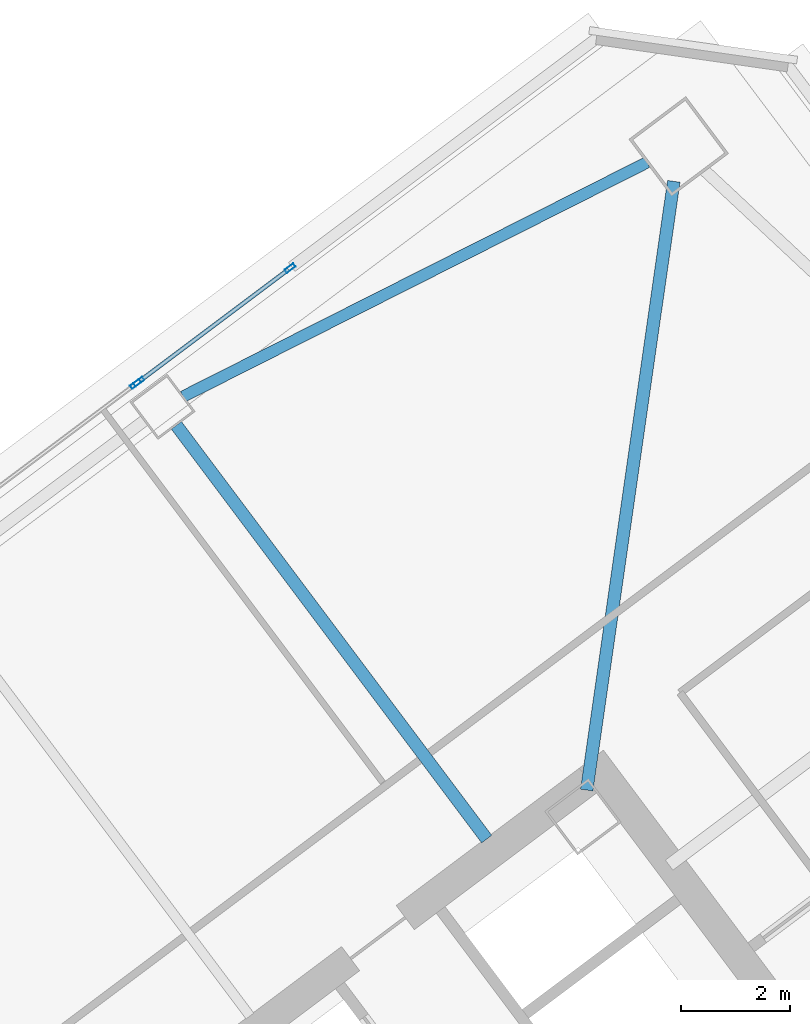
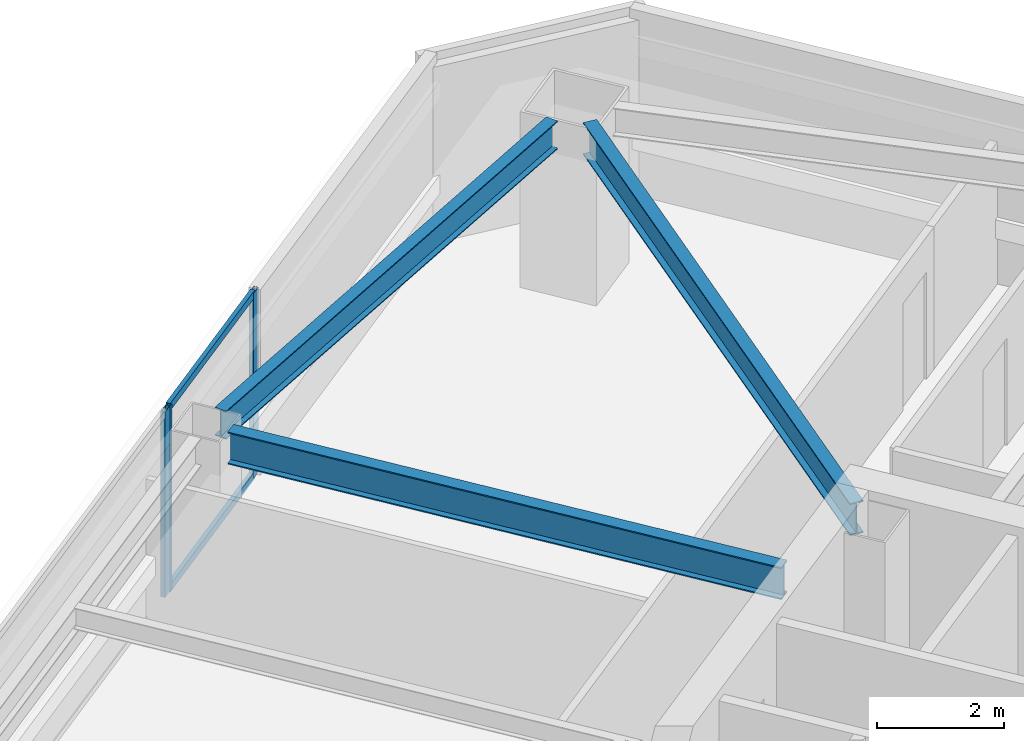
# One storey, part 26 of 40: 5 members, 3 beams, 2 elements without a shape of their own.
"""IFC4 building model written with IfcOpenShell, lengths in metres."""

from ifc_helpers import new_model, si_unit, direction, frame, origin, origin_2d, place, context, subcontext, project, spatial, hollow_rectangle, i_section, extrude, material, material_profile, profile_set, type_object, element, aggregate, save


model = new_model("IFC4")

# Units and contexts
model_context = context("Model", 3, precision=1e-05, world=origin(), true_north=direction((0.0, 1.0)))
body_context = subcontext(model_context, "Body", "Model", "MODEL_VIEW")
ifc_project = project(units=[si_unit("LENGTHUNIT", "METRE"), si_unit("AREAUNIT", "SQUARE_METRE"), si_unit("VOLUMEUNIT", "CUBIC_METRE"), si_unit("PLANEANGLEUNIT", "RADIAN"), si_unit("MASSUNIT", "GRAM", prefix="KILO")], contexts=[model_context])

# Site, building, storey
site_placement = place(None, origin())
site = spatial("IfcSite", under=ifc_project, at=site_placement, CompositionType="ELEMENT")
building_placement = place(site_placement, origin())
building = spatial("IfcBuilding", under=site, at=building_placement, Name="Tashvorn Skyway Center", CompositionType="ELEMENT")
storey_placement = place(building_placement, frame((0.0, 0.0, 142.800048828125)))
storey = spatial("IfcBuildingStorey", under=building, at=storey_placement, Name="L38", CompositionType="ELEMENT", Elevation=142.800048828125)

# Beams
ifc_material_1 = material(Name="Steel ASTM A992 Grade 50", Category="steel")
ifc_material_profile_1 = material_profile(ifc_material_1, i_section(OverallWidth=0.22998046875, OverallDepth=0.616943359375, WebThickness=0.01318359375, FlangeThickness=0.022216796875, at=origin_2d()), Name="W24X94")
ifc_profile_set_1 = profile_set([ifc_material_profile_1], Name="Steel ASTM A992 Grade 50")
beam_type_1 = type_object("IfcBeamType", Name="BM-BEAM-W24X94", PredefinedType="BEAM", material=ifc_profile_set_1)
beam_1_placement = place(storey_placement, frame((117.06884765625, 53.4814453125, 3.0615234375), z_axis=(-0.141430483583, -0.989948189712, 0.0), x_axis=(0.989948189712, -0.141430483583, 0.0)))
element("IfcBeam", 1, at=beam_1_placement, inside=storey, type_object=beam_type_1, Name="Tower 2 L38 Primary Floor Girder MC-NE", PredefinedType="BEAM", context=body_context, shape_type="SweptSolid", body=[
    extrude(i_section(OverallWidth=0.22998046875, OverallDepth=0.616943359375, WebThickness=0.01318359375, FlangeThickness=0.022216796875, at=origin_2d()), origin(), (0.0, 0.0, 1.0), 11.234375),
])
beam_2_placement = place(storey_placement, frame((107.98193359375, 49.02392578125, 3.0615234375), z_axis=(0.600020667896, -0.799984498661, 0.0), x_axis=(0.799984498661, 0.600020667896, 0.0)))
element("IfcBeam", 2, at=beam_2_placement, inside=storey, type_object=beam_type_1, Name="Tower 2 L38 Primary Floor Girder FC-N1", PredefinedType="BEAM", context=body_context, shape_type="SweptSolid", body=[
    extrude(i_section(OverallWidth=0.22998046875, OverallDepth=0.616943359375, WebThickness=0.01318359375, FlangeThickness=0.022216796875, at=origin_2d()), origin(), (0.0, 0.0, 1.0), 9.449951171875),
])
ifc_material_profile_2 = material_profile(ifc_material_1, i_section(OverallWidth=0.2109375, OverallDepth=0.5390625, WebThickness=0.01171875, FlangeThickness=0.018798828125, at=origin_2d()), Name="W21X73")
ifc_profile_set_2 = profile_set([ifc_material_profile_2], Name="Steel ASTM A992 Grade 50")
beam_type_2 = type_object("IfcBeamType", Name="BM-SPANDREL-W21X73", PredefinedType="SPANDREL", material=ifc_profile_set_2)
beam_3_placement = place(storey_placement, frame((116.584228515625, 53.829345703125, 3.100341796875), z_axis=(-0.892719124217, -0.450613543136, 0.0), x_axis=(0.450613543136, -0.892719124217, 0.0)))
element("IfcBeam", 3, at=beam_3_placement, inside=storey, type_object=beam_type_2, Name="Tower 2 L38 Spandrel Beam 07", PredefinedType="SPANDREL", context=body_context, shape_type="SweptSolid", body=[
    extrude(i_section(OverallWidth=0.2109375, OverallDepth=0.5390625, WebThickness=0.01171875, FlangeThickness=0.018798828125, at=origin_2d()), origin(), (0.0, 0.0, 1.0), 9.498291015625),
])

# Curtain wall, member
ifc_material_2 = material(Name="Thermally broken bronze-anodized aluminium 6063-T6", Category="aluminium")
curtain_wall_type = type_object("IfcCurtainWallType", Name="CW-CW-Z3", PredefinedType="NOTDEFINED", material=ifc_material_2)
curtain_wall_1_placement = place(storey_placement, origin())
curtain_wall_1 = element("IfcCurtainWall", 4, at=curtain_wall_1_placement, inside=storey, type_object=curtain_wall_type, Name="Tower 2 L38 North Unitised Curtain Wall Glazing Group 2", PredefinedType="NOTDEFINED")
ifc_material_profile_3 = material_profile(ifc_material_2, hollow_rectangle(XDim=0.074951171875, YDim=0.199951171875, WallThickness=0.00439453125, at=origin_2d()), Name="ALU-MULL-75x200")
ifc_profile_set_3 = profile_set([ifc_material_profile_3], Name="Thermally broken bronze-anodized aluminium 6063-T6")
member_type_1 = type_object("IfcMemberType", Name="CWM-CW-Z3", PredefinedType="MULLION", material=ifc_profile_set_3)
member_1_placement = place(storey_placement, frame((107.23681640625, 49.777587890625, 0.0), z_axis=(0.0, 0.0, 1.0), x_axis=(-0.599996977339, 0.800002266987, 0.0)))
member_1 = element("IfcMember", 5, at=member_1_placement, type_object=member_type_1, Name="CW-Z3 mullion 2", PredefinedType="MULLION", context=body_context, shape_type="SweptSolid", body=[
    extrude(hollow_rectangle(XDim=0.074951171875, YDim=0.199951171875, WallThickness=0.00439453125, at=origin_2d()), origin(), (0.0, 0.0, 1.0), 3.550048828125),
])
aggregate(curtain_wall_1, [member_1])

# Curtain wall, members
curtain_wall_2_placement = place(storey_placement, origin())
curtain_wall_2 = element("IfcCurtainWall", 6, at=curtain_wall_2_placement, inside=storey, type_object=curtain_wall_type, Name="Tower 2 L38 North Unitised Curtain Wall Glazing Group 3", PredefinedType="NOTDEFINED")
member_2_placement = place(storey_placement, frame((107.296630859375, 49.822509765625, 0.0), z_axis=(0.0, 0.0, 1.0), x_axis=(-0.599995465948, 0.800003400519, 0.0)))
member_2 = element("IfcMember", 7, at=member_2_placement, type_object=member_type_1, Name="CW-Z3 mullion 1", PredefinedType="MULLION", context=body_context, shape_type="SweptSolid", body=[
    extrude(hollow_rectangle(XDim=0.074951171875, YDim=0.199951171875, WallThickness=0.00439453125, at=origin_2d()), origin(), (0.0, 0.0, 1.0), 3.550048828125),
])
member_3_placement = place(storey_placement, frame((110.059814453125, 51.894775390625, 0.0), z_axis=(0.0, 0.0, 1.0), x_axis=(-0.599995465948, 0.800003400519, 0.0)))
member_3 = element("IfcMember", 8, at=member_3_placement, type_object=member_type_1, Name="CW-Z3 mullion 2", PredefinedType="MULLION", context=body_context, shape_type="SweptSolid", body=[
    extrude(hollow_rectangle(XDim=0.074951171875, YDim=0.199951171875, WallThickness=0.00439453125, at=origin_2d()), origin(), (0.0, 0.0, 1.0), 3.550048828125),
])
ifc_material_profile_4 = material_profile(ifc_material_2, hollow_rectangle(XDim=0.074951171875, YDim=0.139892578125, WallThickness=0.004150390625, at=origin_2d()), Name="ALU-TRAN-75x140")
ifc_profile_set_4 = profile_set([ifc_material_profile_4], Name="Thermally broken bronze-anodized aluminium 6063-T6")
member_type_2 = type_object("IfcMemberType", Name="CWT-CW-Z3", PredefinedType="USERDEFINED", material=ifc_profile_set_4)
member_4_placement = place(storey_placement, frame((107.32666015625, 49.844970703125, 0.037353515625), z_axis=(0.8, 0.6, 0.0), x_axis=(-0.6, 0.8, 0.0)))
member_4 = element("IfcMember", 9, at=member_4_placement, type_object=member_type_2, Name="CW-Z3 transom 1.1", ObjectType="TRANSOM", PredefinedType="USERDEFINED", context=body_context, shape_type="SweptSolid", body=[
    extrude(hollow_rectangle(XDim=0.074951171875, YDim=0.139892578125, WallThickness=0.004150390625, at=origin_2d()), origin(), (0.0, 0.0, 1.0), 3.37890625),
])
member_5_placement = place(storey_placement, frame((107.32666015625, 49.844970703125, 3.512451171875), z_axis=(0.8, 0.6, 0.0), x_axis=(-0.6, 0.8, 0.0)))
member_5 = element("IfcMember", 10, at=member_5_placement, type_object=member_type_2, Name="CW-Z3 transom 1.2", ObjectType="TRANSOM", PredefinedType="USERDEFINED", context=body_context, shape_type="SweptSolid", body=[
    extrude(hollow_rectangle(XDim=0.074951171875, YDim=0.139892578125, WallThickness=0.004150390625, at=origin_2d()), origin(), (0.0, 0.0, 1.0), 3.37890625),
])
aggregate(curtain_wall_2, [member_2, member_3, member_4, member_5])

save(model, "model.ifc")
